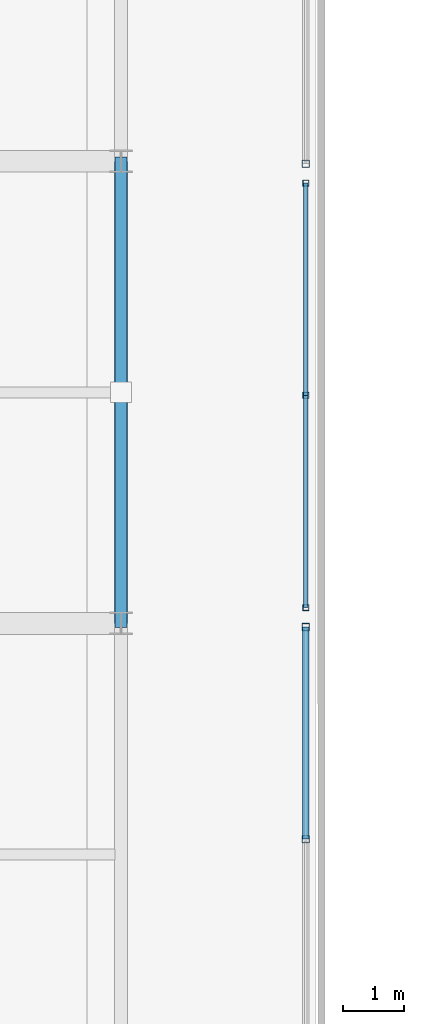
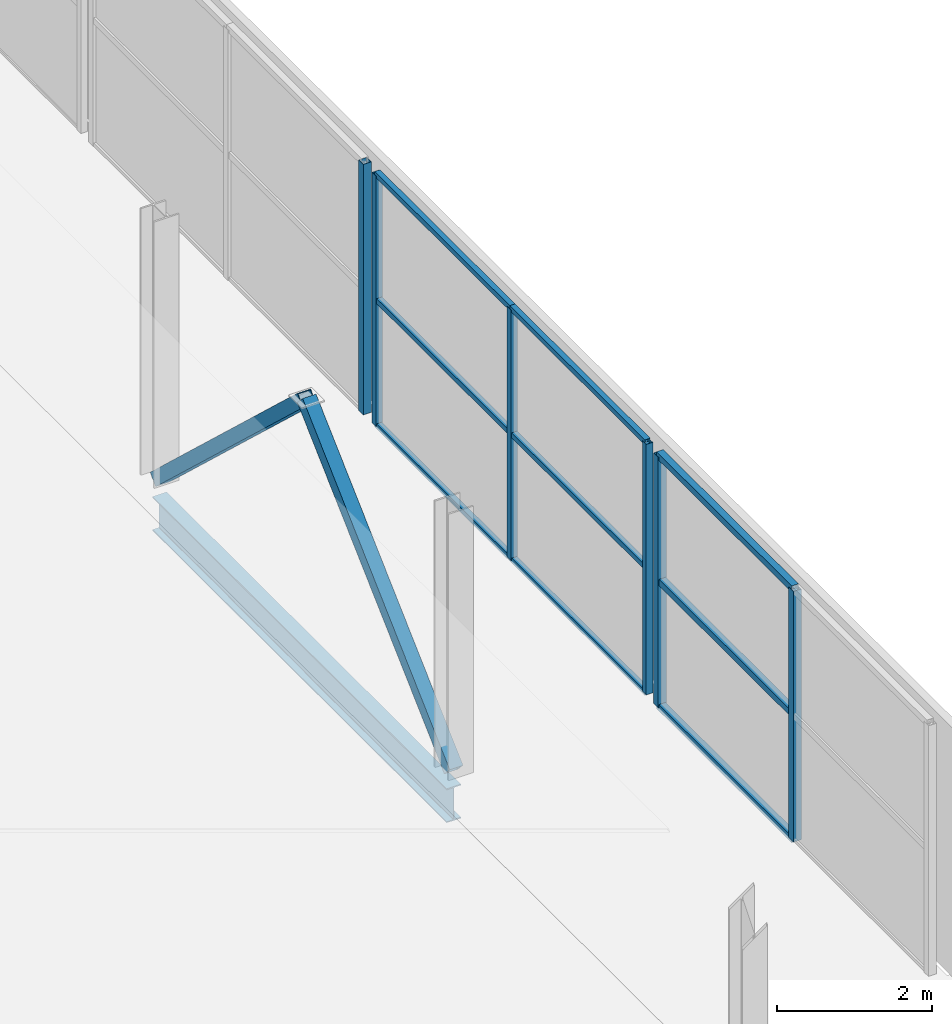
# One storey, part 26 of 217: 17 members, 1 beam, 3 elements without a shape of their own.
"""IFC4 building model written with IfcOpenShell, lengths in metres."""

import ifcopenshell
import ifcopenshell.guid

model = None  # the IFC model being written
_history = None  # IfcOwnerHistory: only IFC2X3 demands one
_inside = {}  # id of a spatial element -> (the spatial element, [elements in it])
_under = {}  # id of a project, library or spatial element -> (it, [spatial elements below it])
_declared = {}  # id of a project -> (the project, [libraries it declares])
_typed = {}  # id of a type object -> (the type object, [elements of that type])
_made_of = {}  # id of a material, layer set ... -> (it, [elements and type objects made of it])


def new_model(schema):
    """Start an empty IFC model of exactly this schema.

    Asked for "IFC4X3", IfcOpenShell would pick the latest addendum, in which some entities
    have other attributes; the version numbers below select the first issue.
    IFC2X3 requires an IfcOwnerHistory on every rooted entity: one is made here for all.
    """
    global model, _history
    if schema == "IFC4X3":
        model = ifcopenshell.file(schema_version=(4, 3, 0, 0))
    else:
        model = ifcopenshell.file(schema=schema)
    _inside.clear()
    _under.clear()
    _declared.clear()
    _typed.clear()
    _made_of.clear()
    _history = None
    if model.schema == "IFC2X3":
        org = make("IfcOrganization", Name="unknown")
        user = make(
            "IfcPersonAndOrganization",
            ThePerson=make("IfcPerson", FamilyName="unknown"),
            TheOrganization=org,
        )
        app = make(
            "IfcApplication",
            ApplicationDeveloper=org,
            Version="unknown",
            ApplicationFullName="unknown",
            ApplicationIdentifier="unknown",
        )
        _history = make(
            "IfcOwnerHistory",
            OwningUser=user,
            OwningApplication=app,
            ChangeAction="ADDED",
            CreationDate=0,
        )
    return model


def make(cls, **values):
    """One entity of the class cls with the attributes given. An attribute that is None is left unset."""
    return model.create_entity(
        cls, **{name: value for name, value in values.items() if value is not None}
    )


def rooted(cls, **values):
    """An entity with a GlobalId (a new one), such as an element, a storey or a relation."""
    return make(cls, GlobalId=ifcopenshell.guid.new(), OwnerHistory=_history, **values)


def si_unit(unit_type, name, prefix=None):
    """IfcSIUnit, for example si_unit("LENGTHUNIT", "METRE", prefix="MILLI")."""
    return make("IfcSIUnit", UnitType=unit_type, Prefix=prefix, Name=name)


def assignment(units):
    """IfcUnitAssignment: the units of a project."""
    return None if units is None else make("IfcUnitAssignment", Units=units)


def point(xyz):
    """IfcCartesianPoint."""
    return None if xyz is None else make("IfcCartesianPoint", Coordinates=xyz)


def direction(xyz):
    """IfcDirection."""
    return None if xyz is None else make("IfcDirection", DirectionRatios=xyz)


def frame(location, z_axis=None, x_axis=None):
    """IfcAxis2Placement3D, a coordinate frame: its origin and axes. An axis left out is left unset."""
    return make(
        "IfcAxis2Placement3D",
        Location=point(location),
        Axis=direction(z_axis),
        RefDirection=direction(x_axis),
    )


def frame_2d(location, x_axis=None):
    """IfcAxis2Placement2D, a coordinate frame in the plane: its origin and x axis."""
    return make(
        "IfcAxis2Placement2D", Location=point(location), RefDirection=direction(x_axis)
    )


def origin():
    """The frame at (0, 0, 0) with its axes left unset."""
    return frame((0.0, 0.0, 0.0))


def origin_2d():
    """The frame at (0, 0) in the plane with its x axis left unset."""
    return frame_2d((0.0, 0.0))


def place(relative_to, where):
    """IfcLocalPlacement: puts the frame where relative to a parent placement (None: the world)."""
    return make(
        "IfcLocalPlacement", PlacementRelTo=relative_to, RelativePlacement=where
    )


def context(
    kind, dimensions, precision=None, world=None, true_north=None, identifier=None
):
    """IfcGeometricRepresentationContext, for example the 3D "Model" context."""
    return make(
        "IfcGeometricRepresentationContext",
        ContextIdentifier=identifier,
        ContextType=kind,
        CoordinateSpaceDimension=dimensions,
        Precision=precision,
        WorldCoordinateSystem=world,
        TrueNorth=true_north,
    )


def subcontext(parent, identifier, kind, view, scale=None):
    """IfcGeometricRepresentationSubContext, for example "Body" below "Model"."""
    return make(
        "IfcGeometricRepresentationSubContext",
        ContextIdentifier=identifier,
        ContextType=kind,
        ParentContext=parent,
        TargetScale=scale,
        TargetView=view,
    )


def project(units=None, contexts=None):
    """IfcProject with its units and contexts."""
    return rooted(
        "IfcProject",
        Name="project",
        RepresentationContexts=contexts,
        UnitsInContext=assignment(units),
    )


def spatial(cls, under=None, at=None, **own):
    """A site, building, storey or space (cls), placed at a placement, below another one or the project."""
    s = rooted(cls, ObjectPlacement=at, **own)
    if under is not None:
        _under.setdefault(under.id(), (under, []))[1].append(s)
    return s


def profile(cls, at=None, kind="AREA", **sizes):
    """A parametric profile (cls). Its sizes go by their IFC names, for example OverallWidth=200.0."""
    return make(cls, ProfileType=kind, Position=at, **sizes)


def hollow_rectangle(**sizes):
    """IfcRectangleHollowProfileDef."""
    return profile("IfcRectangleHollowProfileDef", **sizes)


def i_section(**sizes):
    """IfcIShapeProfileDef."""
    return profile("IfcIShapeProfileDef", **sizes)


def extrude(swept, where, along, depth):
    """IfcExtrudedAreaSolid: the profile swept, set in the frame where, extruded along a direction by depth."""
    return make(
        "IfcExtrudedAreaSolid",
        SweptArea=swept,
        Position=where,
        ExtrudedDirection=direction(along),
        Depth=depth,
    )


def shape(context_of_items, identifier, shape_type, items):
    """IfcShapeRepresentation: the items that make up one representation, for example the "Body"."""
    return make(
        "IfcShapeRepresentation",
        ContextOfItems=context_of_items,
        RepresentationIdentifier=identifier,
        RepresentationType=shape_type,
        Items=items,
    )


def material(Name=None, Category=None):
    """IfcMaterial."""
    return make("IfcMaterial", Name=Name, Category=Category)


def material_profile(
    of_material, cross_section, Name=None, Category=None, Priority=None
):
    """IfcMaterialProfile: a cross section and its material."""
    return make(
        "IfcMaterialProfile",
        Name=Name,
        Material=of_material,
        Profile=cross_section,
        Priority=Priority,
        Category=Category,
    )


def profile_set(profiles, Name=None, composite=None):
    """IfcMaterialProfileSet."""
    return make(
        "IfcMaterialProfileSet",
        Name=Name,
        MaterialProfiles=profiles,
        CompositeProfile=composite,
    )


def made_of(thing, what):
    """Note that an element or type object is made of a material, layer set ...; save() writes the relation."""
    if what is not None:
        _made_of.setdefault(what.id(), (what, []))[1].append(thing)
    return thing


def type_object(cls, material=None, **own):
    """A type object (cls), such as IfcWallType, which elements share."""
    return made_of(rooted(cls, **own), material)


def element(
    cls,
    number,
    at=None,
    inside=None,
    cuts=None,
    type_object=None,
    material=None,
    context=None,
    identifier="Body",
    shape_type=None,
    held_by="IfcProductDefinitionShape",
    body=None,
    shapes=None,
    **own,
):
    """One element of the class cls, such as IfcWall. Its Tag is "e" and its number.

    at: its placement. inside: the storey or other place that contains it. cuts: it is an
    opening in that element (IfcRelVoidsElement). A single representation is given by context,
    identifier, shape_type and body (its items); several are given by shapes. held_by: the class
    of the entity that holds the representations. save() writes the other relations.
    """
    e = rooted(cls, Tag="e%d" % number, ObjectPlacement=at, **own)
    if body is not None:
        shapes = [shape(context, identifier, shape_type, body)]
    if shapes is not None:
        e.Representation = make(held_by, Representations=shapes)
    if inside is not None:
        _inside.setdefault(inside.id(), (inside, []))[1].append(e)
    if cuts is not None:
        rooted(
            "IfcRelVoidsElement", RelatingBuildingElement=cuts, RelatedOpeningElement=e
        )
    if type_object is not None:
        _typed.setdefault(type_object.id(), (type_object, []))[1].append(e)
    return made_of(e, material)


def aggregate(whole, parts):
    """IfcRelAggregates: a whole, such as a stair, and the parts it consists of."""
    return rooted("IfcRelAggregates", RelatingObject=whole, RelatedObjects=parts)


def save(model, path):
    """Write the relations noted so far, then the file.

    IfcRelAggregates (storeys below a building ...), IfcRelContainedInSpatialStructure (elements
    in a storey), IfcRelDefinesByType, IfcRelAssociatesMaterial and IfcRelDeclares: one each for
    every whole, place, type object, material and project.
    """
    for whole, parts in _under.values():
        aggregate(whole, parts)
    for where, things in _inside.values():
        rooted(
            "IfcRelContainedInSpatialStructure",
            RelatedElements=things,
            RelatingStructure=where,
        )
    for kind, things in _typed.values():
        rooted("IfcRelDefinesByType", RelatedObjects=things, RelatingType=kind)
    for what, things in _made_of.values():
        rooted("IfcRelAssociatesMaterial", RelatedObjects=things, RelatingMaterial=what)
    for by, libraries in _declared.values():
        rooted("IfcRelDeclares", RelatingContext=by, RelatedDefinitions=libraries)
    model.write(path)


model = new_model("IFC4")

# Units and contexts
model_context = context("Model", 3, precision=1e-05, world=origin(), true_north=direction((0.0, 1.0)))
body_context = subcontext(model_context, "Body", "Model", "MODEL_VIEW")
ifc_project = project(units=[si_unit("LENGTHUNIT", "METRE"), si_unit("AREAUNIT", "SQUARE_METRE"), si_unit("VOLUMEUNIT", "CUBIC_METRE"), si_unit("PLANEANGLEUNIT", "RADIAN"), si_unit("MASSUNIT", "GRAM", prefix="KILO")], contexts=[model_context])

# Site, building, storey
site_placement = place(None, origin())
site = spatial("IfcSite", under=ifc_project, at=site_placement, CompositionType="ELEMENT")
building_placement = place(site_placement, origin())
building = spatial("IfcBuilding", under=site, at=building_placement, Name="Zuvorla Pavilion Media Centre", CompositionType="ELEMENT")
storey_placement = place(building_placement, frame((0.0, 0.0, 9.60009765625)))
storey = spatial("IfcBuildingStorey", under=building, at=storey_placement, Name="L02", CompositionType="ELEMENT", Elevation=9.60009765625)

# Beam
ifc_material_1 = material(Name="Steel S355", Category="steel")
ifc_material_profile_1 = material_profile(ifc_material_1, i_section(OverallWidth=0.2099609375, OverallDepth=0.53662109375, WebThickness=0.0107421875, FlangeThickness=0.017333984375, FilletRadius=0.0126953125, at=origin_2d()), Name="UB 533x210x101")
ifc_profile_set_1 = profile_set([ifc_material_profile_1], Name="Steel S355")
beam_type = type_object("IfcBeamType", Name="BM-UB533", PredefinedType="BEAM", material=ifc_profile_set_1)
beam_placement = place(storey_placement, frame((24.800048828125, 59.199951171875, -0.536376953125), z_axis=(0.0, 1.0, 0.0), x_axis=(-1.0, 0.0, 0.0)))
element("IfcBeam", 1, at=beam_placement, inside=storey, type_object=beam_type, Name="L02 beam B08 897", PredefinedType="BEAM", context=body_context, shape_type="SweptSolid", body=[
    extrude(i_section(OverallWidth=0.2099609375, OverallDepth=0.53662109375, WebThickness=0.0107421875, FlangeThickness=0.017333984375, FilletRadius=0.0126953125, at=origin_2d()), origin(), (0.0, 0.0, 1.0), 7.60009765625),
])

# Curtain wall, members
ifc_material_2 = material(Name="Unitised anodised aluminium and solar glass curtain wall", Category="aluminium")
curtain_wall_type_1 = type_object("IfcCurtainWallType", Name="CW-SYS-24", PredefinedType="USERDEFINED", material=ifc_material_2)
curtain_wall_1_placement = place(storey_placement, origin())
curtain_wall_1 = element("IfcCurtainWall", 2, at=curtain_wall_1_placement, inside=storey, type_object=curtain_wall_type_1, Name="L02 curtain wall CW24 89", ObjectType="CURTAIN WALL", PredefinedType="USERDEFINED")
ifc_material_3 = material(Name="Anodised aluminium 6063-T6", Category="aluminium")
ifc_material_profile_2 = material_profile(ifc_material_3, hollow_rectangle(XDim=0.10009765625, YDim=0.10009765625, WallThickness=0.00439453125, at=origin_2d()), Name="ALU MULL 100x100")
ifc_profile_set_2 = profile_set([ifc_material_profile_2], Name="Anodised aluminium 6063-T6")
member_type_1 = type_object("IfcMemberType", Name="CW-MULL-100", PredefinedType="MULLION", material=ifc_profile_set_2)
member_1_placement = place(storey_placement, frame((27.840087890625, 66.43994140625, 0.0), z_axis=(0.0, 0.0, 1.0), x_axis=(1.0, 0.0, 0.0)))
member_1 = element("IfcMember", 3, at=member_1_placement, type_object=member_type_1, Name="CW24 mullion 1", PredefinedType="MULLION", context=body_context, shape_type="SweptSolid", body=[
    extrude(hollow_rectangle(XDim=0.10009765625, YDim=0.10009765625, WallThickness=0.00439453125, at=origin_2d()), origin(), (0.0, 0.0, 1.0), 3.949951171875),
])
member_2_placement = place(storey_placement, frame((27.840087890625, 62.949951171875, 0.0), z_axis=(0.0, 0.0, 1.0), x_axis=(1.0, 0.0, 0.0)))
member_2 = element("IfcMember", 4, at=member_2_placement, type_object=member_type_1, Name="CW24 mullion 2", PredefinedType="MULLION", context=body_context, shape_type="SweptSolid", body=[
    extrude(hollow_rectangle(XDim=0.10009765625, YDim=0.10009765625, WallThickness=0.00439453125, at=origin_2d()), origin(), (0.0, 0.0, 1.0), 3.949951171875),
])
member_3_placement = place(storey_placement, frame((27.840087890625, 59.4599609375, 0.0), z_axis=(0.0, 0.0, 1.0), x_axis=(1.0, 0.0, 0.0)))
member_3 = element("IfcMember", 5, at=member_3_placement, type_object=member_type_1, Name="CW24 mullion 3", PredefinedType="MULLION", context=body_context, shape_type="SweptSolid", body=[
    extrude(hollow_rectangle(XDim=0.10009765625, YDim=0.10009765625, WallThickness=0.00439453125, at=origin_2d()), origin(), (0.0, 0.0, 1.0), 3.949951171875),
])

curtain_wall_type_2 = type_object("IfcCurtainWallType", Name="CW-SYS-57", PredefinedType="USERDEFINED", material=ifc_material_2)
curtain_wall_2_placement = place(storey_placement, origin())
curtain_wall_2 = element("IfcCurtainWall", 6, at=curtain_wall_2_placement, inside=storey, type_object=curtain_wall_type_2, Name="L02 curtain wall CW57 87", ObjectType="CURTAIN WALL", PredefinedType="USERDEFINED")
ifc_material_profile_3 = material_profile(ifc_material_3, hollow_rectangle(XDim=0.1201171875, YDim=0.1201171875, WallThickness=0.0048828125, at=origin_2d()), Name="ALU MULL 120x120")
ifc_profile_set_3 = profile_set([ifc_material_profile_3], Name="Anodised aluminium 6063-T6")
member_type_2 = type_object("IfcMemberType", Name="CW-MULL-120", PredefinedType="MULLION", material=ifc_profile_set_3)
member_4_placement = place(storey_placement, frame((27.840087890625, 59.139892578125, 0.0), z_axis=(0.0, 0.0, 1.0), x_axis=(1.0, 0.0, 0.0)))
member_4 = element("IfcMember", 7, at=member_4_placement, type_object=member_type_2, Name="CW57 mullion 1", PredefinedType="MULLION", context=body_context, shape_type="SweptSolid", body=[
    extrude(hollow_rectangle(XDim=0.1201171875, YDim=0.1201171875, WallThickness=0.0048828125, at=origin_2d()), origin(), (0.0, 0.0, 1.0), 3.949951171875),
])
member_5_placement = place(storey_placement, frame((27.840087890625, 55.64990234375, 0.0), z_axis=(0.0, 0.0, 1.0), x_axis=(1.0, 0.0, 0.0)))
member_5 = element("IfcMember", 8, at=member_5_placement, type_object=member_type_2, Name="CW57 mullion 2", PredefinedType="MULLION", context=body_context, shape_type="SweptSolid", body=[
    extrude(hollow_rectangle(XDim=0.1201171875, YDim=0.1201171875, WallThickness=0.0048828125, at=origin_2d()), origin(), (0.0, 0.0, 1.0), 3.949951171875),
])

# Curtain wall, member
curtain_wall_type_3 = type_object("IfcCurtainWallType", Name="CW-SYS-58", PredefinedType="USERDEFINED", material=ifc_material_2)
curtain_wall_3_placement = place(storey_placement, origin())
curtain_wall_3 = element("IfcCurtainWall", 9, at=curtain_wall_3_placement, inside=storey, type_object=curtain_wall_type_3, Name="L02 curtain wall CW58 91", ObjectType="CURTAIN WALL", PredefinedType="USERDEFINED")
member_6_placement = place(storey_placement, frame((27.840087890625, 66.760009765625, 0.0), z_axis=(0.0, 0.0, 1.0), x_axis=(1.0, 0.0, 0.0)))
member_6 = element("IfcMember", 10, at=member_6_placement, type_object=member_type_2, Name="CW58 mullion 3", PredefinedType="MULLION", context=body_context, shape_type="SweptSolid", body=[
    extrude(hollow_rectangle(XDim=0.1201171875, YDim=0.1201171875, WallThickness=0.0048828125, at=origin_2d()), origin(), (0.0, 0.0, 1.0), 3.949951171875),
])
aggregate(curtain_wall_3, [member_6])

# Member
ifc_material_profile_4 = material_profile(ifc_material_3, hollow_rectangle(XDim=0.10009765625, YDim=0.10009765625, WallThickness=0.00439453125, at=origin_2d()), Name="ALU TRAN 100x100")
ifc_profile_set_4 = profile_set([ifc_material_profile_4], Name="Anodised aluminium 6063-T6")
member_type_3 = type_object("IfcMemberType", Name="CW-TRAN-100", PredefinedType="USERDEFINED", material=ifc_profile_set_4)
member_7_placement = place(storey_placement, frame((27.840087890625, 59.139892578125, 0.0), z_axis=(0.0, -1.0, 0.0), x_axis=(1.0, 0.0, 0.0)))
member_7 = element("IfcMember", 11, at=member_7_placement, type_object=member_type_3, Name="CW57 transom 1.1", ObjectType="TRANSOM", PredefinedType="USERDEFINED", context=body_context, shape_type="SweptSolid", body=[
    extrude(hollow_rectangle(XDim=0.10009765625, YDim=0.10009765625, WallThickness=0.00439453125, at=origin_2d()), origin(), (0.0, 0.0, 1.0), 3.489990234375),
])

member_8_placement = place(storey_placement, frame((27.840087890625, 59.139892578125, 1.974853515625), z_axis=(0.0, -1.0, 0.0), x_axis=(1.0, 0.0, 0.0)))
member_8 = element("IfcMember", 12, at=member_8_placement, type_object=member_type_3, Name="CW57 transom 1.2", ObjectType="TRANSOM", PredefinedType="USERDEFINED", context=body_context, shape_type="SweptSolid", body=[
    extrude(hollow_rectangle(XDim=0.10009765625, YDim=0.10009765625, WallThickness=0.00439453125, at=origin_2d()), origin(), (0.0, 0.0, 1.0), 3.489990234375),
])

member_9_placement = place(storey_placement, frame((27.840087890625, 59.139892578125, 3.949951171875), z_axis=(0.0, -1.0, 0.0), x_axis=(1.0, 0.0, 0.0)))
member_9 = element("IfcMember", 13, at=member_9_placement, type_object=member_type_3, Name="CW57 transom 1.3", ObjectType="TRANSOM", PredefinedType="USERDEFINED", context=body_context, shape_type="SweptSolid", body=[
    extrude(hollow_rectangle(XDim=0.10009765625, YDim=0.10009765625, WallThickness=0.00439453125, at=origin_2d()), origin(), (0.0, 0.0, 1.0), 3.489990234375),
])

aggregate(curtain_wall_2, [member_4, member_5, member_7, member_8, member_9])

ifc_material_profile_5 = material_profile(ifc_material_3, hollow_rectangle(XDim=0.080078125, YDim=0.080078125, WallThickness=0.00390625, at=origin_2d()), Name="ALU TRAN 80x80")
ifc_profile_set_5 = profile_set([ifc_material_profile_5], Name="Anodised aluminium 6063-T6")
member_type_4 = type_object("IfcMemberType", Name="CW-TRAN-80", PredefinedType="USERDEFINED", material=ifc_profile_set_5)
member_10_placement = place(storey_placement, frame((27.840087890625, 66.43994140625, 0.0), z_axis=(0.0, -1.0, 0.0), x_axis=(1.0, 0.0, 0.0)))
member_10 = element("IfcMember", 14, at=member_10_placement, type_object=member_type_4, Name="CW24 transom 1.1", ObjectType="TRANSOM", PredefinedType="USERDEFINED", context=body_context, shape_type="SweptSolid", body=[
    extrude(hollow_rectangle(XDim=0.080078125, YDim=0.080078125, WallThickness=0.00390625, at=origin_2d()), origin(), (0.0, 0.0, 1.0), 3.489990234375),
])

member_11_placement = place(storey_placement, frame((27.840087890625, 66.43994140625, 1.974853515625), z_axis=(0.0, -1.0, 0.0), x_axis=(1.0, 0.0, 0.0)))
member_11 = element("IfcMember", 15, at=member_11_placement, type_object=member_type_4, Name="CW24 transom 1.2", ObjectType="TRANSOM", PredefinedType="USERDEFINED", context=body_context, shape_type="SweptSolid", body=[
    extrude(hollow_rectangle(XDim=0.080078125, YDim=0.080078125, WallThickness=0.00390625, at=origin_2d()), origin(), (0.0, 0.0, 1.0), 3.489990234375),
])

member_12_placement = place(storey_placement, frame((27.840087890625, 66.43994140625, 3.949951171875), z_axis=(0.0, -1.0, 0.0), x_axis=(1.0, 0.0, 0.0)))
member_12 = element("IfcMember", 16, at=member_12_placement, type_object=member_type_4, Name="CW24 transom 1.3", ObjectType="TRANSOM", PredefinedType="USERDEFINED", context=body_context, shape_type="SweptSolid", body=[
    extrude(hollow_rectangle(XDim=0.080078125, YDim=0.080078125, WallThickness=0.00390625, at=origin_2d()), origin(), (0.0, 0.0, 1.0), 3.489990234375),
])

member_13_placement = place(storey_placement, frame((27.840087890625, 62.949951171875, 0.0), z_axis=(0.0, -1.0, 0.0), x_axis=(1.0, 0.0, 0.0)))
member_13 = element("IfcMember", 17, at=member_13_placement, type_object=member_type_4, Name="CW24 transom 2.1", ObjectType="TRANSOM", PredefinedType="USERDEFINED", context=body_context, shape_type="SweptSolid", body=[
    extrude(hollow_rectangle(XDim=0.080078125, YDim=0.080078125, WallThickness=0.00390625, at=origin_2d()), origin(), (0.0, 0.0, 1.0), 3.489990234375),
])

member_14_placement = place(storey_placement, frame((27.840087890625, 62.949951171875, 1.974853515625), z_axis=(0.0, -1.0, 0.0), x_axis=(1.0, 0.0, 0.0)))
member_14 = element("IfcMember", 18, at=member_14_placement, type_object=member_type_4, Name="CW24 transom 2.2", ObjectType="TRANSOM", PredefinedType="USERDEFINED", context=body_context, shape_type="SweptSolid", body=[
    extrude(hollow_rectangle(XDim=0.080078125, YDim=0.080078125, WallThickness=0.00390625, at=origin_2d()), origin(), (0.0, 0.0, 1.0), 3.489990234375),
])

member_15_placement = place(storey_placement, frame((27.840087890625, 62.949951171875, 3.949951171875), z_axis=(0.0, -1.0, 0.0), x_axis=(1.0, 0.0, 0.0)))
member_15 = element("IfcMember", 19, at=member_15_placement, type_object=member_type_4, Name="CW24 transom 2.3", ObjectType="TRANSOM", PredefinedType="USERDEFINED", context=body_context, shape_type="SweptSolid", body=[
    extrude(hollow_rectangle(XDim=0.080078125, YDim=0.080078125, WallThickness=0.00390625, at=origin_2d()), origin(), (0.0, 0.0, 1.0), 3.489990234375),
])

aggregate(curtain_wall_1, [member_1, member_2, member_3, member_10, member_11, member_12, member_13, member_14, member_15])

# Members
ifc_material_profile_6 = material_profile(ifc_material_1, hollow_rectangle(XDim=0.199951171875, YDim=0.199951171875, WallThickness=0.010009765625, at=origin_2d()), Name="SHS 200x200x10")
ifc_profile_set_6 = profile_set([ifc_material_profile_6], Name="Steel S355")
member_type_5 = type_object("IfcMemberType", Name="MEM-BRC-SHS200", PredefinedType="BRACE", material=ifc_profile_set_6)
for number, where, z_axis, x_axis, name in (
    (20, (24.800048828125, 59.199951171875, 0.0), (0.0, 0.730758562833, 0.682636010511), (-1.0, 0.0, 0.0), "L02 diagonal brace BF01 849"),
    (21, (24.800048828125, 66.800048828125, 0.0), (0.0, -0.730758562833, 0.682636010511), (1.0, 0.0, 0.0), "L02 diagonal brace BF01 850"),
):
    element("IfcMember", number, at=place(storey_placement, frame(where, z_axis=z_axis, x_axis=x_axis)), inside=storey, type_object=member_type_5, Name=name, PredefinedType="BRACE", context=body_context, shape_type="SweptSolid", body=[
        extrude(hollow_rectangle(XDim=0.199951171875, YDim=0.199951171875, WallThickness=0.010009765625, at=origin_2d()), origin(), (0.0, 0.0, 1.0), 5.2001953125),
    ])

save(model, "model.ifc")
